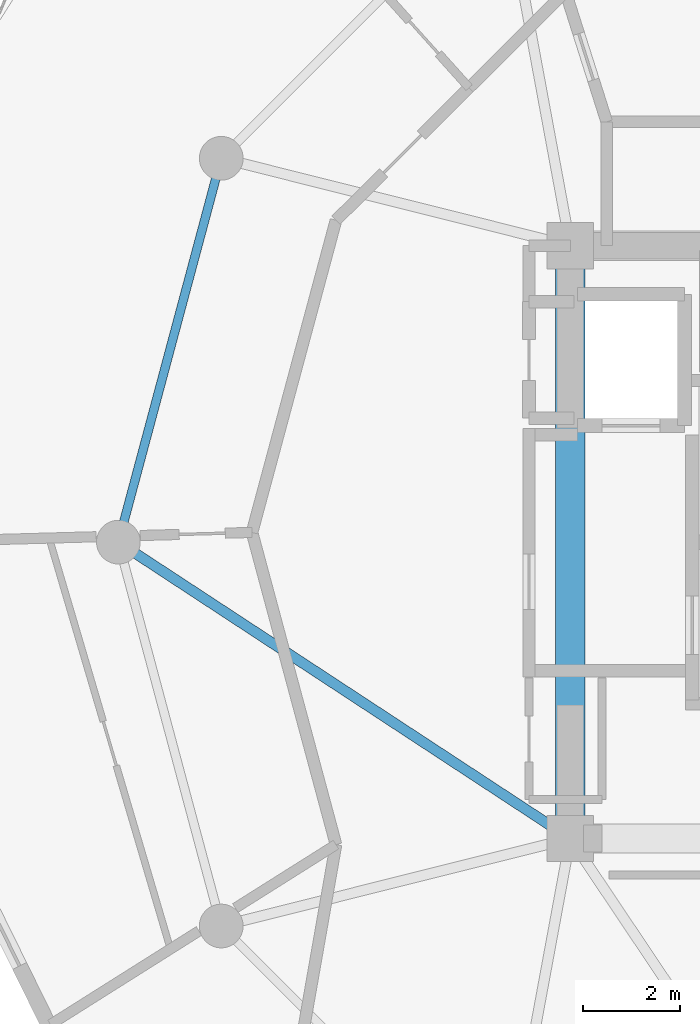
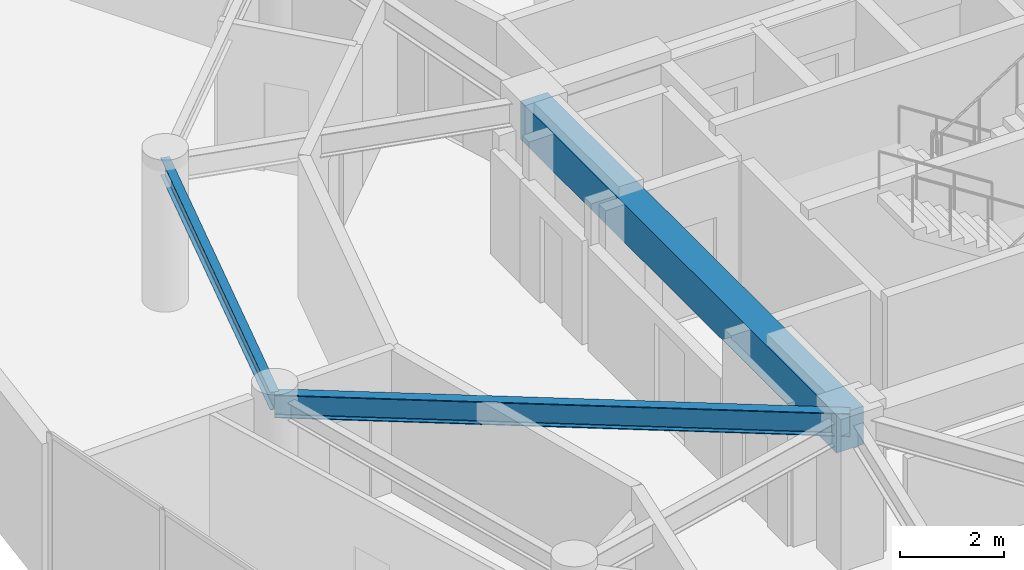
# One storey, part 8 of 21: 3 beams.
"""IFC4 building model written with IfcOpenShell, lengths in metres."""

from ifc_helpers import new_model, si_unit, direction, frame, origin, origin_2d, place, context, subcontext, project, spatial, rectangle, i_section, extrude, material, material_profile, profile_set, type_object, element, save


model = new_model("IFC4")

# Units and contexts
model_context = context("Model", 3, precision=1e-05, world=origin(), true_north=direction((0.0, 1.0)))
body_context = subcontext(model_context, "Body", "Model", "MODEL_VIEW")
ifc_project = project(units=[si_unit("LENGTHUNIT", "METRE"), si_unit("AREAUNIT", "SQUARE_METRE"), si_unit("VOLUMEUNIT", "CUBIC_METRE"), si_unit("PLANEANGLEUNIT", "RADIAN"), si_unit("MASSUNIT", "GRAM", prefix="KILO")], contexts=[model_context])

# Site, building, storey
site_placement = place(None, origin())
site = spatial("IfcSite", under=ifc_project, at=site_placement, CompositionType="ELEMENT")
building_placement = place(site_placement, origin())
building = spatial("IfcBuilding", under=site, at=building_placement, Name="Solvirekh Grand Hotel", CompositionType="ELEMENT")
storey_placement = place(building_placement, frame((0.0, 0.0, 223.60009765625)))
storey = spatial("IfcBuildingStorey", under=building, at=storey_placement, Name="L58", CompositionType="ELEMENT", Elevation=223.60009765625)

# Beams
ifc_material_1 = material(Name="Concrete C50/60", Category="concrete")
ifc_material_profile_1 = material_profile(ifc_material_1, rectangle(XDim=0.60009765625, YDim=0.89990234375, at=origin_2d()), Name="RC BEAM 600X900")
ifc_profile_set_1 = profile_set([ifc_material_profile_1], Name="Concrete C50/60")
beam_type_1 = type_object("IfcBeamType", Name="Beam_Core_RC900", PredefinedType="BEAM", material=ifc_profile_set_1)
beam_1_placement = place(storey_placement, frame((-6.5, 6.10009765625, 2.909912109375), z_axis=(0.0, -1.0, 0.0), x_axis=(1.0, 0.0, 0.0)))
element("IfcBeam", 1, at=beam_1_placement, inside=storey, type_object=beam_type_1, Name="L58 core coupling ring beam 4", PredefinedType="BEAM", context=body_context, shape_type="SweptSolid", body=[
    extrude(rectangle(XDim=0.60009765625, YDim=0.89990234375, at=origin_2d()), origin(), (0.0, 0.0, 1.0), 12.2001953125),
])
ifc_material_2 = material(Name="Steel S355", Category="steel")
ifc_material_profile_2 = material_profile(ifc_material_2, i_section(OverallWidth=0.2119140625, OverallDepth=0.5439453125, WebThickness=0.011962890625, FlangeThickness=0.01904296875, FilletRadius=0.013916015625, at=origin_2d()), Name="W530X123")
ifc_profile_set_2 = profile_set([ifc_material_profile_2], Name="Steel S355")
beam_type_2 = type_object("IfcBeamType", Name="Beam_Radial_W530H", PredefinedType="BEAM", material=ifc_profile_set_2)
beam_2_placement = place(storey_placement, frame((-6.5, -6.10009765625, 3.087890625), z_axis=(-0.836174064962, 0.548464158432, 0.0), x_axis=(-0.548464158432, -0.836174064962, 0.0)))
element("IfcBeam", 2, at=beam_2_placement, inside=storey, type_object=beam_type_2, Name="L58 radial floor beam R07", PredefinedType="BEAM", context=body_context, shape_type="SweptSolid", body=[
    extrude(i_section(OverallWidth=0.2119140625, OverallDepth=0.5439453125, WebThickness=0.011962890625, FlangeThickness=0.01904296875, FilletRadius=0.013916015625, at=origin_2d()), origin(), (0.0, 0.0, 1.0), 11.1220703125),
])
ifc_material_profile_3 = material_profile(ifc_material_2, i_section(OverallWidth=0.180908203125, OverallDepth=0.4169921875, WebThickness=0.010009765625, FlangeThickness=0.01611328125, FilletRadius=0.011962890625, at=origin_2d()), Name="W410X85")
ifc_profile_set_3 = profile_set([ifc_material_profile_3], Name="Steel S355")
beam_type_3 = type_object("IfcBeamType", Name="Spandrel_Ring_W410", PredefinedType="SPANDREL", material=ifc_profile_set_3)
beam_3_placement = place(storey_placement, frame((-13.68310546875, 7.89990234375, 3.15185546875), z_axis=(-0.258838541915, -0.965920601923, 0.0), x_axis=(0.965920601923, -0.258838541915, 0.0)))
element("IfcBeam", 3, at=beam_3_placement, inside=storey, type_object=beam_type_3, Name="L58 perimeter spandrel beam 6", PredefinedType="SPANDREL", context=body_context, shape_type="SweptSolid", body=[
    extrude(i_section(OverallWidth=0.180908203125, OverallDepth=0.4169921875, WebThickness=0.010009765625, FlangeThickness=0.01611328125, FilletRadius=0.011962890625, at=origin_2d()), origin(), (0.0, 0.0, 1.0), 8.1787109375),
])

save(model, "model.ifc")
